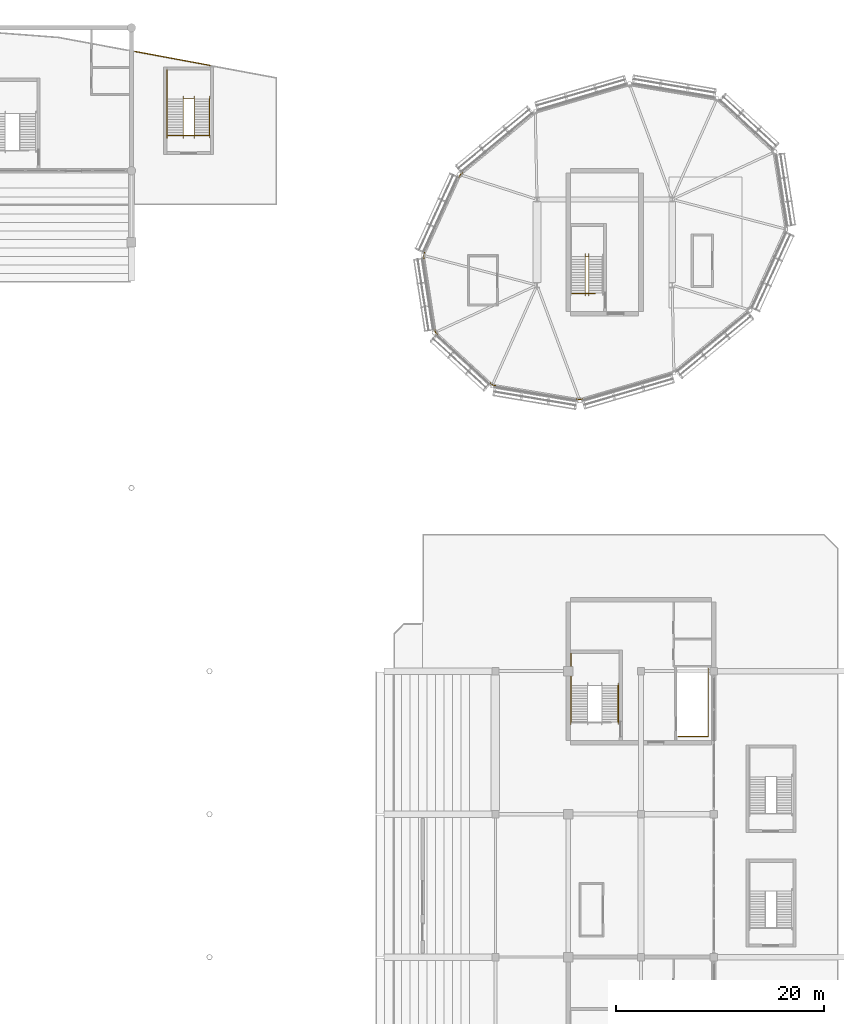
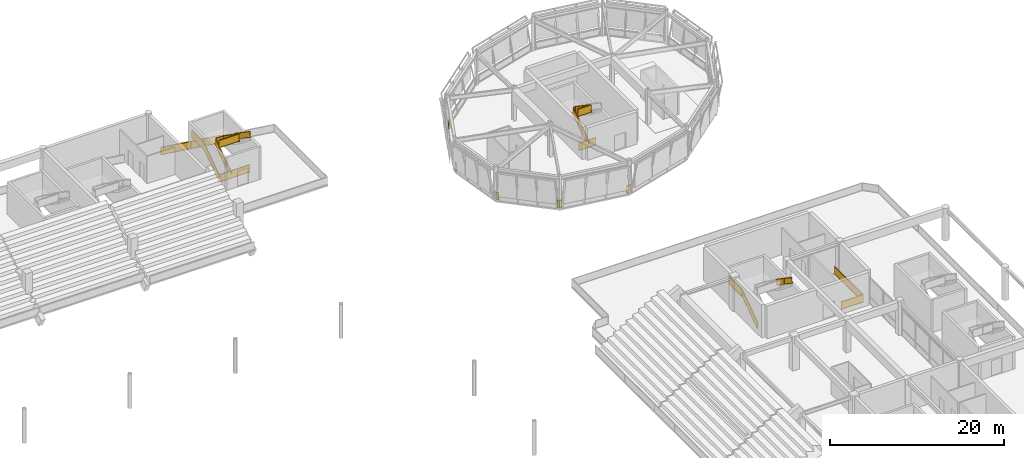
# One storey, part 93 of 94: 15 railings.
"""IFC4 building model written with IfcOpenShell, lengths in metres."""

from ifc_helpers import new_model, si_unit, direction, frame, origin, origin_2d, place, context, subcontext, project, spatial, rectangle, extrude, material, type_object, element, save


model = new_model("IFC4")

# Units and contexts
model_context = context("Model", 3, precision=1e-05, world=origin(), true_north=direction((0.0, 1.0)))
body_context = subcontext(model_context, "Body", "Model", "MODEL_VIEW")
ifc_project = project(units=[si_unit("LENGTHUNIT", "METRE"), si_unit("AREAUNIT", "SQUARE_METRE"), si_unit("VOLUMEUNIT", "CUBIC_METRE"), si_unit("PLANEANGLEUNIT", "RADIAN"), si_unit("MASSUNIT", "GRAM", prefix="KILO")], contexts=[model_context])

# Site, building, storey
site_placement = place(None, origin())
site = spatial("IfcSite", under=ifc_project, at=site_placement, CompositionType="ELEMENT")
building_placement = place(site_placement, origin())
building = spatial("IfcBuilding", under=site, at=building_placement, Name="Linyun Crest Stadium", CompositionType="ELEMENT")
storey_placement = place(building_placement, frame((0.0, 0.0, 16.199951171875)))
storey = spatial("IfcBuildingStorey", under=building, at=storey_placement, Name="L04", CompositionType="ELEMENT", Elevation=16.199951171875)

# Railings
ifc_material_1 = material(Name="Galvanized and powder-coated steel bowl safety barrier", Category="steel")
railing_type_1 = type_object("IfcRailingType", Name="GR02", PredefinedType="GUARDRAIL", material=ifc_material_1)
railing_1_placement = place(storey_placement, frame((80.580078125, 37.090087890625, 0.0)))
element("IfcRailing", 1, at=railing_1_placement, inside=storey, type_object=railing_type_1, Name="Slab edge balustrade GR02 166", PredefinedType="GUARDRAIL", context=body_context, shape_type="SweptSolid", body=[
    extrude(rectangle(XDim=0.06005859375, YDim=0.06005859375, at=origin_2d()), frame((0.0, 0.0, 1.090087890625), z_axis=(1.0, 0.0, 0.0), x_axis=(0.0, 1.0, 0.0)), (0.0, 0.0, 1.0), 2.8798828125),
    extrude(rectangle(XDim=0.030029296875, YDim=1.0, at=origin_2d()), frame((0.0, 0.0, 0.56005859375), z_axis=(1.0, 0.0, 0.0), x_axis=(0.0, 1.0, 0.0)), (0.0, 0.0, 1.0), 2.8798828125),
    extrude(rectangle(XDim=0.06005859375, YDim=0.06005859375, at=origin_2d()), frame((0.0, 0.0, 0.030029296875), z_axis=(1.0, 0.0, 0.0), x_axis=(0.0, 1.0, 0.0)), (0.0, 0.0, 1.0), 2.8798828125),
    extrude(rectangle(XDim=0.06005859375, YDim=0.06005859375, at=origin_2d()), frame((2.8798828125, 0.0, 1.090087890625), z_axis=(0.0, 1.0, 0.0), x_axis=(-1.0, 0.0, 0.0)), (0.0, 0.0, 1.0), 6.5498046875),
    extrude(rectangle(XDim=0.030029296875, YDim=1.0, at=origin_2d()), frame((2.8798828125, 0.0, 0.56005859375), z_axis=(0.0, 1.0, 0.0), x_axis=(-1.0, 0.0, 0.0)), (0.0, 0.0, 1.0), 6.5498046875),
    extrude(rectangle(XDim=0.06005859375, YDim=0.06005859375, at=origin_2d()), frame((2.8798828125, 0.0, 0.030029296875), z_axis=(0.0, 1.0, 0.0), x_axis=(-1.0, 0.0, 0.0)), (0.0, 0.0, 1.0), 6.5498046875),
    extrude(rectangle(XDim=0.050048828125, YDim=0.050048828125, at=origin_2d()), origin(), (0.0, 0.0, 1.0), 1.1201171875),
    extrude(rectangle(XDim=0.050048828125, YDim=0.050048828125, at=origin_2d()), frame((2.8798828125, 0.0, 0.0)), (0.0, 0.0, 1.0), 1.1201171875),
    extrude(rectangle(XDim=0.050048828125, YDim=0.050048828125, at=origin_2d()), frame((2.8798828125, 3.27490234375, 0.0)), (0.0, 0.0, 1.0), 1.1201171875),
    extrude(rectangle(XDim=0.050048828125, YDim=0.050048828125, at=origin_2d()), frame((2.8798828125, 6.5498046875, 0.0)), (0.0, 0.0, 1.0), 1.1201171875),
])
railing_2_placement = place(storey_placement, frame((28.340087890625, 102.97607421875, 0.0)))
element("IfcRailing", 2, at=railing_2_placement, inside=storey, type_object=railing_type_1, Name="Slab edge balustrade GR02 220", PredefinedType="GUARDRAIL", context=body_context, shape_type="SweptSolid", body=[
    extrude(rectangle(XDim=0.06005859375, YDim=0.06005859375, at=origin_2d()), frame((0.0, 0.0, 1.090087890625), z_axis=(0.983179834188, -0.182640120579, 0.0), x_axis=(0.182640120579, 0.983179834188, 0.0)), (0.0, 0.0, 1.0), 7.31591796875),
    extrude(rectangle(XDim=0.030029296875, YDim=1.0, at=origin_2d()), frame((0.0, 0.0, 0.56005859375), z_axis=(0.983179834188, -0.182640120579, 0.0), x_axis=(0.182640120579, 0.983179834188, 0.0)), (0.0, 0.0, 1.0), 7.31591796875),
    extrude(rectangle(XDim=0.06005859375, YDim=0.06005859375, at=origin_2d()), frame((0.0, 0.0, 0.030029296875), z_axis=(0.983179834188, -0.182640120579, 0.0), x_axis=(0.182640120579, 0.983179834188, 0.0)), (0.0, 0.0, 1.0), 7.31591796875),
    extrude(rectangle(XDim=0.050048828125, YDim=0.050048828125, at=origin_2d()), origin(), (0.0, 0.0, 1.0), 1.1201171875),
    extrude(rectangle(XDim=0.050048828125, YDim=0.050048828125, at=origin_2d()), frame((3.596435546875, -0.66796875, 0.0)), (0.0, 0.0, 1.0), 1.1201171875),
    extrude(rectangle(XDim=0.050048828125, YDim=0.050048828125, at=origin_2d()), frame((7.19287109375, -1.336181640625, 0.0)), (0.0, 0.0, 1.0), 1.1201171875),
])
railing_3_placement = place(storey_placement, frame((31.5400390625, 94.889892578125, 0.0)))
element("IfcRailing", 3, at=railing_3_placement, inside=storey, type_object=railing_type_1, Name="Slab edge balustrade GR02 222", PredefinedType="GUARDRAIL", context=body_context, shape_type="SweptSolid", body=[
    extrude(rectangle(XDim=0.06005859375, YDim=0.06005859375, at=origin_2d()), frame((0.0, 0.0, 1.090087890625), z_axis=(1.0, 0.0, 0.0), x_axis=(0.0, 1.0, 0.0)), (0.0, 0.0, 1.0), 3.919921875),
    extrude(rectangle(XDim=0.030029296875, YDim=1.0, at=origin_2d()), frame((0.0, 0.0, 0.56005859375), z_axis=(1.0, 0.0, 0.0), x_axis=(0.0, 1.0, 0.0)), (0.0, 0.0, 1.0), 3.919921875),
    extrude(rectangle(XDim=0.06005859375, YDim=0.06005859375, at=origin_2d()), frame((0.0, 0.0, 0.030029296875), z_axis=(1.0, 0.0, 0.0), x_axis=(0.0, 1.0, 0.0)), (0.0, 0.0, 1.0), 3.919921875),
    extrude(rectangle(XDim=0.050048828125, YDim=0.050048828125, at=origin_2d()), origin(), (0.0, 0.0, 1.0), 1.1201171875),
    extrude(rectangle(XDim=0.050048828125, YDim=0.050048828125, at=origin_2d()), frame((3.919921875, 0.0, 0.0)), (0.0, 0.0, 1.0), 1.1201171875),
])
railing_4_placement = place(storey_placement, frame((71.376953125, 69.56591796875, 0.0)))
element("IfcRailing", 4, at=railing_4_placement, inside=storey, type_object=railing_type_1, Name="Slab edge balustrade GR02 341", PredefinedType="GUARDRAIL", context=body_context, shape_type="SweptSolid", body=[
    extrude(rectangle(XDim=0.06005859375, YDim=0.06005859375, at=origin_2d()), frame((0.0, 0.0, 1.090087890625), z_axis=(-0.959406194526, -0.282027931073, 0.0), x_axis=(0.282027931073, -0.959406194526, 0.0)), (0.0, 0.0, 1.0), 0.28662109375),
    extrude(rectangle(XDim=0.030029296875, YDim=1.0, at=origin_2d()), frame((0.0, 0.0, 0.56005859375), z_axis=(-0.959406194526, -0.282027931073, 0.0), x_axis=(0.282027931073, -0.959406194526, 0.0)), (0.0, 0.0, 1.0), 0.28662109375),
    extrude(rectangle(XDim=0.06005859375, YDim=0.06005859375, at=origin_2d()), frame((0.0, 0.0, 0.030029296875), z_axis=(-0.959406194526, -0.282027931073, 0.0), x_axis=(0.282027931073, -0.959406194526, 0.0)), (0.0, 0.0, 1.0), 0.28662109375),
    extrude(rectangle(XDim=0.06005859375, YDim=0.06005859375, at=origin_2d()), frame((-0.27490234375, -0.080810546875, 1.090087890625), z_axis=(-0.985905166387, 0.167305119144, 0.0), x_axis=(-0.167305119144, -0.985905166387, 0.0)), (0.0, 0.0, 1.0), 0.2861328125),
    extrude(rectangle(XDim=0.030029296875, YDim=1.0, at=origin_2d()), frame((-0.27490234375, -0.080810546875, 0.56005859375), z_axis=(-0.985905166387, 0.167305119144, 0.0), x_axis=(-0.167305119144, -0.985905166387, 0.0)), (0.0, 0.0, 1.0), 0.2861328125),
    extrude(rectangle(XDim=0.06005859375, YDim=0.06005859375, at=origin_2d()), frame((-0.27490234375, -0.080810546875, 0.030029296875), z_axis=(-0.985905166387, 0.167305119144, 0.0), x_axis=(-0.167305119144, -0.985905166387, 0.0)), (0.0, 0.0, 1.0), 0.2861328125),
    extrude(rectangle(XDim=0.050048828125, YDim=0.050048828125, at=origin_2d()), origin(), (0.0, 0.0, 1.0), 1.1201171875),
    extrude(rectangle(XDim=0.050048828125, YDim=0.050048828125, at=origin_2d()), frame((-0.27490234375, -0.080810546875, 0.0)), (0.0, 0.0, 1.0), 1.1201171875),
    extrude(rectangle(XDim=0.050048828125, YDim=0.050048828125, at=origin_2d()), frame((-0.556884765625, -0.032958984375, 0.0)), (0.0, 0.0, 1.0), 1.1201171875),
])
railing_5_placement = place(storey_placement, frame((62.992919921875, 70.843994140625, 0.0)))
element("IfcRailing", 5, at=railing_5_placement, inside=storey, type_object=railing_type_1, Name="Slab edge balustrade GR02 342", PredefinedType="GUARDRAIL", context=body_context, shape_type="SweptSolid", body=[
    extrude(rectangle(XDim=0.06005859375, YDim=0.06005859375, at=origin_2d()), frame((0.0, 0.0, 1.090087890625), z_axis=(-0.986627241764, 0.1629929011, 0.0), x_axis=(-0.1629929011, -0.986627241764, 0.0)), (0.0, 0.0, 1.0), 0.281494140625),
    extrude(rectangle(XDim=0.030029296875, YDim=1.0, at=origin_2d()), frame((0.0, 0.0, 0.56005859375), z_axis=(-0.986627241764, 0.1629929011, 0.0), x_axis=(-0.1629929011, -0.986627241764, 0.0)), (0.0, 0.0, 1.0), 0.281494140625),
    extrude(rectangle(XDim=0.06005859375, YDim=0.06005859375, at=origin_2d()), frame((0.0, 0.0, 0.030029296875), z_axis=(-0.986627241764, 0.1629929011, 0.0), x_axis=(-0.1629929011, -0.986627241764, 0.0)), (0.0, 0.0, 1.0), 0.281494140625),
    extrude(rectangle(XDim=0.06005859375, YDim=0.06005859375, at=origin_2d()), frame((-0.27783203125, 0.0458984375, 1.090087890625), z_axis=(-0.734572019785, 0.678530727196, 0.0), x_axis=(-0.678530727196, -0.734572019785, 0.0)), (0.0, 0.0, 1.0), 0.283203125),
    extrude(rectangle(XDim=0.030029296875, YDim=1.0, at=origin_2d()), frame((-0.27783203125, 0.0458984375, 0.56005859375), z_axis=(-0.734572019785, 0.678530727196, 0.0), x_axis=(-0.678530727196, -0.734572019785, 0.0)), (0.0, 0.0, 1.0), 0.283203125),
    extrude(rectangle(XDim=0.06005859375, YDim=0.06005859375, at=origin_2d()), frame((-0.27783203125, 0.0458984375, 0.030029296875), z_axis=(-0.734572019785, 0.678530727196, 0.0), x_axis=(-0.678530727196, -0.734572019785, 0.0)), (0.0, 0.0, 1.0), 0.283203125),
    extrude(rectangle(XDim=0.050048828125, YDim=0.050048828125, at=origin_2d()), origin(), (0.0, 0.0, 1.0), 1.1201171875),
    extrude(rectangle(XDim=0.050048828125, YDim=0.050048828125, at=origin_2d()), frame((-0.27783203125, 0.0458984375, 0.0)), (0.0, 0.0, 1.0), 1.1201171875),
    extrude(rectangle(XDim=0.050048828125, YDim=0.050048828125, at=origin_2d()), frame((-0.48583984375, 0.238037109375, 0.0)), (0.0, 0.0, 1.0), 1.1201171875),
])
railing_6_placement = place(storey_placement, frame((57.426025390625, 75.780029296875, 0.0)))
element("IfcRailing", 6, at=railing_6_placement, inside=storey, type_object=railing_type_1, Name="Slab edge balustrade GR02 343", PredefinedType="GUARDRAIL", context=body_context, shape_type="SweptSolid", body=[
    extrude(rectangle(XDim=0.06005859375, YDim=0.06005859375, at=origin_2d()), frame((0.0, 0.0, 1.090087890625), z_axis=(-0.733663907779, 0.67951252411, 0.0), x_axis=(-0.67951252411, -0.733663907779, 0.0)), (0.0, 0.0, 1.0), 0.279541015625),
    extrude(rectangle(XDim=0.030029296875, YDim=1.0, at=origin_2d()), frame((0.0, 0.0, 0.56005859375), z_axis=(-0.733663907779, 0.67951252411, 0.0), x_axis=(-0.67951252411, -0.733663907779, 0.0)), (0.0, 0.0, 1.0), 0.279541015625),
    extrude(rectangle(XDim=0.06005859375, YDim=0.06005859375, at=origin_2d()), frame((0.0, 0.0, 0.030029296875), z_axis=(-0.733663907779, 0.67951252411, 0.0), x_axis=(-0.67951252411, -0.733663907779, 0.0)), (0.0, 0.0, 1.0), 0.279541015625),
    extrude(rectangle(XDim=0.06005859375, YDim=0.06005859375, at=origin_2d()), frame((-0.205078125, 0.18994140625, 1.090087890625), z_axis=(-0.150349133385, 0.988632964295, 0.0), x_axis=(-0.988632964295, -0.150349133385, 0.0)), (0.0, 0.0, 1.0), 0.279296875),
    extrude(rectangle(XDim=0.030029296875, YDim=1.0, at=origin_2d()), frame((-0.205078125, 0.18994140625, 0.56005859375), z_axis=(-0.150349133385, 0.988632964295, 0.0), x_axis=(-0.988632964295, -0.150349133385, 0.0)), (0.0, 0.0, 1.0), 0.279296875),
    extrude(rectangle(XDim=0.06005859375, YDim=0.06005859375, at=origin_2d()), frame((-0.205078125, 0.18994140625, 0.030029296875), z_axis=(-0.150349133385, 0.988632964295, 0.0), x_axis=(-0.988632964295, -0.150349133385, 0.0)), (0.0, 0.0, 1.0), 0.279296875),
    extrude(rectangle(XDim=0.050048828125, YDim=0.050048828125, at=origin_2d()), origin(), (0.0, 0.0, 1.0), 1.1201171875),
    extrude(rectangle(XDim=0.050048828125, YDim=0.050048828125, at=origin_2d()), frame((-0.205078125, 0.18994140625, 0.0)), (0.0, 0.0, 1.0), 1.1201171875),
    extrude(rectangle(XDim=0.050048828125, YDim=0.050048828125, at=origin_2d()), frame((-0.2470703125, 0.466064453125, 0.0)), (0.0, 0.0, 1.0), 1.1201171875),
])
railing_7_placement = place(storey_placement, frame((56.1259765625, 83.083984375, 0.0)))
element("IfcRailing", 7, at=railing_7_placement, inside=storey, type_object=railing_type_1, Name="Slab edge balustrade GR02 344", PredefinedType="GUARDRAIL", context=body_context, shape_type="SweptSolid", body=[
    extrude(rectangle(XDim=0.06005859375, YDim=0.06005859375, at=origin_2d()), frame((0.0, 0.0, 1.090087890625), z_axis=(-0.1521871378, 0.988351696052, 0.0), x_axis=(-0.988351696052, -0.1521871378, 0.0)), (0.0, 0.0, 1.0), 0.2822265625),
    extrude(rectangle(XDim=0.030029296875, YDim=1.0, at=origin_2d()), frame((0.0, 0.0, 0.56005859375), z_axis=(-0.1521871378, 0.988351696052, 0.0), x_axis=(-0.988351696052, -0.1521871378, 0.0)), (0.0, 0.0, 1.0), 0.2822265625),
    extrude(rectangle(XDim=0.06005859375, YDim=0.06005859375, at=origin_2d()), frame((0.0, 0.0, 0.030029296875), z_axis=(-0.1521871378, 0.988351696052, 0.0), x_axis=(-0.988351696052, -0.1521871378, 0.0)), (0.0, 0.0, 1.0), 0.2822265625),
    extrude(rectangle(XDim=0.06005859375, YDim=0.06005859375, at=origin_2d()), frame((-0.04296875, 0.279052734375, 1.090087890625), z_axis=(0.414063441435, 0.910248024698, 0.0), x_axis=(-0.910248024698, 0.414063441435, 0.0)), (0.0, 0.0, 1.0), 0.282470703125),
    extrude(rectangle(XDim=0.030029296875, YDim=1.0, at=origin_2d()), frame((-0.04296875, 0.279052734375, 0.56005859375), z_axis=(0.414063441435, 0.910248024698, 0.0), x_axis=(-0.910248024698, 0.414063441435, 0.0)), (0.0, 0.0, 1.0), 0.282470703125),
    extrude(rectangle(XDim=0.06005859375, YDim=0.06005859375, at=origin_2d()), frame((-0.04296875, 0.279052734375, 0.030029296875), z_axis=(0.414063441435, 0.910248024698, 0.0), x_axis=(-0.910248024698, 0.414063441435, 0.0)), (0.0, 0.0, 1.0), 0.282470703125),
    extrude(rectangle(XDim=0.050048828125, YDim=0.050048828125, at=origin_2d()), origin(), (0.0, 0.0, 1.0), 1.1201171875),
    extrude(rectangle(XDim=0.050048828125, YDim=0.050048828125, at=origin_2d()), frame((-0.04296875, 0.279052734375, 0.0)), (0.0, 0.0, 1.0), 1.1201171875),
    extrude(rectangle(XDim=0.050048828125, YDim=0.050048828125, at=origin_2d()), frame((0.073974609375, 0.5361328125, 0.0)), (0.0, 0.0, 1.0), 1.1201171875),
])
railing_8_placement = place(storey_placement, frame((59.489013671875, 90.842041015625, 0.0)))
element("IfcRailing", 8, at=railing_8_placement, inside=storey, type_object=railing_type_1, Name="Slab edge balustrade GR02 345", PredefinedType="GUARDRAIL", context=body_context, shape_type="SweptSolid", body=[
    extrude(rectangle(XDim=0.06005859375, YDim=0.06005859375, at=origin_2d()), frame((0.0, 0.0, 1.090087890625), z_axis=(0.414572445131, 0.910016311798, 0.0), x_axis=(-0.910016311798, 0.414572445131, 0.0)), (0.0, 0.0, 1.0), 0.286865234375),
    extrude(rectangle(XDim=0.030029296875, YDim=1.0, at=origin_2d()), frame((0.0, 0.0, 0.56005859375), z_axis=(0.414572445131, 0.910016311798, 0.0), x_axis=(-0.910016311798, 0.414572445131, 0.0)), (0.0, 0.0, 1.0), 0.286865234375),
    extrude(rectangle(XDim=0.06005859375, YDim=0.06005859375, at=origin_2d()), frame((0.0, 0.0, 0.030029296875), z_axis=(0.414572445131, 0.910016311798, 0.0), x_axis=(-0.910016311798, 0.414572445131, 0.0)), (0.0, 0.0, 1.0), 0.286865234375),
    extrude(rectangle(XDim=0.06005859375, YDim=0.06005859375, at=origin_2d()), frame((0.118896484375, 0.260986328125, 1.090087890625), z_axis=(0.77066950633, 0.637235052404, 0.0), x_axis=(-0.637235052404, 0.77066950633, 0.0)), (0.0, 0.0, 1.0), 0.285400390625),
    extrude(rectangle(XDim=0.030029296875, YDim=1.0, at=origin_2d()), frame((0.118896484375, 0.260986328125, 0.56005859375), z_axis=(0.77066950633, 0.637235052404, 0.0), x_axis=(-0.637235052404, 0.77066950633, 0.0)), (0.0, 0.0, 1.0), 0.285400390625),
    extrude(rectangle(XDim=0.06005859375, YDim=0.06005859375, at=origin_2d()), frame((0.118896484375, 0.260986328125, 0.030029296875), z_axis=(0.77066950633, 0.637235052404, 0.0), x_axis=(-0.637235052404, 0.77066950633, 0.0)), (0.0, 0.0, 1.0), 0.285400390625),
    extrude(rectangle(XDim=0.050048828125, YDim=0.050048828125, at=origin_2d()), origin(), (0.0, 0.0, 1.0), 1.1201171875),
    extrude(rectangle(XDim=0.050048828125, YDim=0.050048828125, at=origin_2d()), frame((0.118896484375, 0.260986328125, 0.0)), (0.0, 0.0, 1.0), 1.1201171875),
    extrude(rectangle(XDim=0.050048828125, YDim=0.050048828125, at=origin_2d()), frame((0.3388671875, 0.44287109375, 0.0)), (0.0, 0.0, 1.0), 1.1201171875),
])
railing_9_placement = place(storey_placement, frame((70.364990234375, 79.7099609375, 0.0)))
element("IfcRailing", 9, at=railing_9_placement, inside=storey, type_object=railing_type_1, Name="Slab edge balustrade GR02 350", PredefinedType="GUARDRAIL", context=body_context, shape_type="SweptSolid", body=[
    extrude(rectangle(XDim=0.06005859375, YDim=0.06005859375, at=origin_2d()), frame((0.0, 0.0, 1.090087890625), z_axis=(1.0, 0.0, 0.0), x_axis=(0.0, 1.0, 0.0)), (0.0, 0.0, 1.0), 2.235107421875),
    extrude(rectangle(XDim=0.030029296875, YDim=1.0, at=origin_2d()), frame((0.0, 0.0, 0.56005859375), z_axis=(1.0, 0.0, 0.0), x_axis=(0.0, 1.0, 0.0)), (0.0, 0.0, 1.0), 2.235107421875),
    extrude(rectangle(XDim=0.06005859375, YDim=0.06005859375, at=origin_2d()), frame((0.0, 0.0, 0.030029296875), z_axis=(1.0, 0.0, 0.0), x_axis=(0.0, 1.0, 0.0)), (0.0, 0.0, 1.0), 2.235107421875),
    extrude(rectangle(XDim=0.050048828125, YDim=0.050048828125, at=origin_2d()), origin(), (0.0, 0.0, 1.0), 1.1201171875),
    extrude(rectangle(XDim=0.050048828125, YDim=0.050048828125, at=origin_2d()), frame((2.235107421875, 0.0, 0.0)), (0.0, 0.0, 1.0), 1.1201171875),
])
ifc_material_2 = material(Name="Painted steel stairwell safety guard", Category="steel")
railing_type_2 = type_object("IfcRailingType", Name="GR03", PredefinedType="GUARDRAIL", material=ifc_material_2)
railing_10_placement = place(storey_placement, frame((70.2548828125, 38.489990234375, 0.0)))
element("IfcRailing", 10, at=railing_10_placement, inside=storey, type_object=railing_type_2, Name="STR-06-L04 outer guard", PredefinedType="GUARDRAIL", context=body_context, shape_type="SweptSolid", body=[
    extrude(rectangle(XDim=0.06005859375, YDim=0.06005859375, at=origin_2d()), frame((0.0, 0.0, 1.090087890625), z_axis=(0.0, 0.824712752785, 0.565551832633), x_axis=(-1.0, 0.0, 0.0)), (0.0, 0.0, 1.0), 4.243896484375),
    extrude(rectangle(XDim=0.030029296875, YDim=1.0, at=origin_2d()), frame((0.0, 0.0, 0.56005859375), z_axis=(0.0, 0.824712752785, 0.565551832633), x_axis=(-1.0, 0.0, 0.0)), (0.0, 0.0, 1.0), 4.243896484375),
    extrude(rectangle(XDim=0.06005859375, YDim=0.06005859375, at=origin_2d()), frame((0.0, 0.0, 0.030029296875), z_axis=(0.0, 0.824712752785, 0.565551832633), x_axis=(-1.0, 0.0, 0.0)), (0.0, 0.0, 1.0), 4.243896484375),
    extrude(rectangle(XDim=0.06005859375, YDim=0.06005859375, at=origin_2d()), frame((0.0, 3.5, 3.490234375), z_axis=(0.0, 1.0, 0.0), x_axis=(-1.0, 0.0, 0.0)), (0.0, 0.0, 1.0), 3.080078125),
    extrude(rectangle(XDim=0.030029296875, YDim=1.0, at=origin_2d()), frame((0.0, 3.5, 2.960205078125), z_axis=(0.0, 1.0, 0.0), x_axis=(-1.0, 0.0, 0.0)), (0.0, 0.0, 1.0), 3.080078125),
    extrude(rectangle(XDim=0.06005859375, YDim=0.06005859375, at=origin_2d()), frame((0.0, 3.5, 2.43017578125), z_axis=(0.0, 1.0, 0.0), x_axis=(-1.0, 0.0, 0.0)), (0.0, 0.0, 1.0), 3.080078125),
    extrude(rectangle(XDim=0.050048828125, YDim=0.050048828125, at=origin_2d()), origin(), (0.0, 0.0, 1.0), 1.1201171875),
    extrude(rectangle(XDim=0.050048828125, YDim=0.050048828125, at=origin_2d()), frame((0.0, 1.166748046875, 0.800048828125)), (0.0, 0.0, 1.0), 1.1201171875),
    extrude(rectangle(XDim=0.050048828125, YDim=0.050048828125, at=origin_2d()), frame((0.0, 2.333251953125, 1.60009765625)), (0.0, 0.0, 1.0), 1.1201171875),
    extrude(rectangle(XDim=0.050048828125, YDim=0.050048828125, at=origin_2d()), frame((0.0, 3.5, 2.400146484375)), (0.0, 0.0, 1.0), 1.1201171875),
    extrude(rectangle(XDim=0.050048828125, YDim=0.050048828125, at=origin_2d()), frame((0.0, 5.0400390625, 2.400146484375)), (0.0, 0.0, 1.0), 1.1201171875),
    extrude(rectangle(XDim=0.050048828125, YDim=0.050048828125, at=origin_2d()), frame((0.0, 6.580078125, 2.400146484375)), (0.0, 0.0, 1.0), 1.1201171875),
])
railing_11_placement = place(storey_placement, frame((71.64501953125, 79.719970703125, 0.0)))
element("IfcRailing", 11, at=railing_11_placement, inside=storey, type_object=railing_type_2, Name="STR-12-L04 inner well guard", PredefinedType="GUARDRAIL", context=body_context, shape_type="SweptSolid", body=[
    extrude(rectangle(XDim=0.06005859375, YDim=0.06005859375, at=origin_2d()), frame((0.0, 0.0, 1.090087890625), z_axis=(0.0, 0.826212794201, 0.563358162005), x_axis=(-1.0, 0.0, 0.0)), (0.0, 0.0, 1.0), 4.260498046875),
    extrude(rectangle(XDim=0.030029296875, YDim=1.0, at=origin_2d()), frame((0.0, 0.0, 0.56005859375), z_axis=(0.0, 0.826212794201, 0.563358162005), x_axis=(-1.0, 0.0, 0.0)), (0.0, 0.0, 1.0), 4.260498046875),
    extrude(rectangle(XDim=0.06005859375, YDim=0.06005859375, at=origin_2d()), frame((0.0, 0.0, 0.030029296875), z_axis=(0.0, 0.826212794201, 0.563358162005), x_axis=(-1.0, 0.0, 0.0)), (0.0, 0.0, 1.0), 4.260498046875),
    extrude(rectangle(XDim=0.06005859375, YDim=0.06005859375, at=origin_2d()), frame((0.0, 3.52001953125, 3.490234375), z_axis=(1.0, 0.0, 0.0), x_axis=(0.0, 1.0, 0.0)), (0.0, 0.0, 1.0), 0.3349609375),
    extrude(rectangle(XDim=0.030029296875, YDim=1.0, at=origin_2d()), frame((0.0, 3.52001953125, 2.960205078125), z_axis=(1.0, 0.0, 0.0), x_axis=(0.0, 1.0, 0.0)), (0.0, 0.0, 1.0), 0.3349609375),
    extrude(rectangle(XDim=0.06005859375, YDim=0.06005859375, at=origin_2d()), frame((0.0, 3.52001953125, 2.43017578125), z_axis=(1.0, 0.0, 0.0), x_axis=(0.0, 1.0, 0.0)), (0.0, 0.0, 1.0), 0.3349609375),
    extrude(rectangle(XDim=0.06005859375, YDim=0.06005859375, at=origin_2d()), frame((0.3349609375, 3.52001953125, 3.490234375), z_axis=(0.0, -0.826239466617, 0.563319042644), x_axis=(1.0, 0.0, 0.0)), (0.0, 0.0, 1.0), 4.26025390625),
    extrude(rectangle(XDim=0.030029296875, YDim=1.0, at=origin_2d()), frame((0.3349609375, 3.52001953125, 2.960205078125), z_axis=(0.0, -0.826239466617, 0.563319042644), x_axis=(1.0, 0.0, 0.0)), (0.0, 0.0, 1.0), 4.26025390625),
    extrude(rectangle(XDim=0.06005859375, YDim=0.06005859375, at=origin_2d()), frame((0.3349609375, 3.52001953125, 2.43017578125), z_axis=(0.0, -0.826239466617, 0.563319042644), x_axis=(1.0, 0.0, 0.0)), (0.0, 0.0, 1.0), 4.26025390625),
    extrude(rectangle(XDim=0.06005859375, YDim=0.06005859375, at=origin_2d()), frame((0.3349609375, 0.0, 5.89013671875), z_axis=(-1.0, 0.0, 0.0), x_axis=(0.0, -1.0, 0.0)), (0.0, 0.0, 1.0), 1.73486328125),
    extrude(rectangle(XDim=0.030029296875, YDim=1.0, at=origin_2d()), frame((0.3349609375, 0.0, 5.360107421875), z_axis=(-1.0, 0.0, 0.0), x_axis=(0.0, -1.0, 0.0)), (0.0, 0.0, 1.0), 1.73486328125),
    extrude(rectangle(XDim=0.06005859375, YDim=0.06005859375, at=origin_2d()), frame((0.3349609375, 0.0, 4.830078125), z_axis=(-1.0, 0.0, 0.0), x_axis=(0.0, -1.0, 0.0)), (0.0, 0.0, 1.0), 1.73486328125),
    extrude(rectangle(XDim=0.050048828125, YDim=0.050048828125, at=origin_2d()), origin(), (0.0, 0.0, 1.0), 1.1201171875),
    extrude(rectangle(XDim=0.050048828125, YDim=0.050048828125, at=origin_2d()), frame((0.0, 1.17333984375, 0.800048828125)), (0.0, 0.0, 1.0), 1.1201171875),
    extrude(rectangle(XDim=0.050048828125, YDim=0.050048828125, at=origin_2d()), frame((0.0, 2.3466796875, 1.60009765625)), (0.0, 0.0, 1.0), 1.1201171875),
    extrude(rectangle(XDim=0.050048828125, YDim=0.050048828125, at=origin_2d()), frame((0.0, 3.52001953125, 2.400146484375)), (0.0, 0.0, 1.0), 1.1201171875),
    extrude(rectangle(XDim=0.050048828125, YDim=0.050048828125, at=origin_2d()), frame((0.3349609375, 3.52001953125, 2.400146484375)), (0.0, 0.0, 1.0), 1.1201171875),
    extrude(rectangle(XDim=0.050048828125, YDim=0.050048828125, at=origin_2d()), frame((0.3349609375, 2.3466796875, 3.2001953125)), (0.0, 0.0, 1.0), 1.1201171875),
    extrude(rectangle(XDim=0.050048828125, YDim=0.050048828125, at=origin_2d()), frame((0.3349609375, 1.17333984375, 4.0)), (0.0, 0.0, 1.0), 1.1201171875),
    extrude(rectangle(XDim=0.050048828125, YDim=0.050048828125, at=origin_2d()), frame((0.3349609375, 0.0, 4.800048828125)), (0.0, 0.0, 1.0), 1.1201171875),
    extrude(rectangle(XDim=0.050048828125, YDim=0.050048828125, at=origin_2d()), frame((-1.39990234375, 0.0, 4.800048828125)), (0.0, 0.0, 1.0), 1.1201171875),
])
railing_12_placement = place(storey_placement, frame((31.429931640625, 94.919921875, 0.0)))
element("IfcRailing", 12, at=railing_12_placement, inside=storey, type_object=railing_type_2, Name="STR-26-L04 outer guard", PredefinedType="GUARDRAIL", context=body_context, shape_type="SweptSolid", body=[
    extrude(rectangle(XDim=0.06005859375, YDim=0.06005859375, at=origin_2d()), frame((0.0, 0.0, 1.090087890625), z_axis=(0.0, 0.824712752785, 0.565551832633), x_axis=(-1.0, 0.0, 0.0)), (0.0, 0.0, 1.0), 4.243896484375),
    extrude(rectangle(XDim=0.030029296875, YDim=1.0, at=origin_2d()), frame((0.0, 0.0, 0.56005859375), z_axis=(0.0, 0.824712752785, 0.565551832633), x_axis=(-1.0, 0.0, 0.0)), (0.0, 0.0, 1.0), 4.243896484375),
    extrude(rectangle(XDim=0.06005859375, YDim=0.06005859375, at=origin_2d()), frame((0.0, 0.0, 0.030029296875), z_axis=(0.0, 0.824712752785, 0.565551832633), x_axis=(-1.0, 0.0, 0.0)), (0.0, 0.0, 1.0), 4.243896484375),
    extrude(rectangle(XDim=0.06005859375, YDim=0.06005859375, at=origin_2d()), frame((0.0, 3.5, 3.490234375), z_axis=(0.0, 1.0, 0.0), x_axis=(-1.0, 0.0, 0.0)), (0.0, 0.0, 1.0), 2.75),
    extrude(rectangle(XDim=0.030029296875, YDim=1.0, at=origin_2d()), frame((0.0, 3.5, 2.960205078125), z_axis=(0.0, 1.0, 0.0), x_axis=(-1.0, 0.0, 0.0)), (0.0, 0.0, 1.0), 2.75),
    extrude(rectangle(XDim=0.06005859375, YDim=0.06005859375, at=origin_2d()), frame((0.0, 3.5, 2.43017578125), z_axis=(0.0, 1.0, 0.0), x_axis=(-1.0, 0.0, 0.0)), (0.0, 0.0, 1.0), 2.75),
    extrude(rectangle(XDim=0.050048828125, YDim=0.050048828125, at=origin_2d()), origin(), (0.0, 0.0, 1.0), 1.1201171875),
    extrude(rectangle(XDim=0.050048828125, YDim=0.050048828125, at=origin_2d()), frame((0.0, 1.166748046875, 0.800048828125)), (0.0, 0.0, 1.0), 1.1201171875),
    extrude(rectangle(XDim=0.050048828125, YDim=0.050048828125, at=origin_2d()), frame((0.0, 2.333251953125, 1.60009765625)), (0.0, 0.0, 1.0), 1.1201171875),
    extrude(rectangle(XDim=0.050048828125, YDim=0.050048828125, at=origin_2d()), frame((0.0, 3.5, 2.400146484375)), (0.0, 0.0, 1.0), 1.1201171875),
    extrude(rectangle(XDim=0.050048828125, YDim=0.050048828125, at=origin_2d()), frame((0.0, 4.875, 2.400146484375)), (0.0, 0.0, 1.0), 1.1201171875),
    extrude(rectangle(XDim=0.050048828125, YDim=0.050048828125, at=origin_2d()), frame((0.0, 6.25, 2.400146484375)), (0.0, 0.0, 1.0), 1.1201171875),
])
railing_13_placement = place(storey_placement, frame((32.969970703125, 94.89990234375, 0.0)))
element("IfcRailing", 13, at=railing_13_placement, inside=storey, type_object=railing_type_2, Name="STR-26-L04 inner well guard", PredefinedType="GUARDRAIL", context=body_context, shape_type="SweptSolid", body=[
    extrude(rectangle(XDim=0.06005859375, YDim=0.06005859375, at=origin_2d()), frame((0.0, 0.0, 1.090087890625), z_axis=(0.0, 0.826212794201, 0.563358162005), x_axis=(-1.0, 0.0, 0.0)), (0.0, 0.0, 1.0), 4.260498046875),
    extrude(rectangle(XDim=0.030029296875, YDim=1.0, at=origin_2d()), frame((0.0, 0.0, 0.56005859375), z_axis=(0.0, 0.826212794201, 0.563358162005), x_axis=(-1.0, 0.0, 0.0)), (0.0, 0.0, 1.0), 4.260498046875),
    extrude(rectangle(XDim=0.06005859375, YDim=0.06005859375, at=origin_2d()), frame((0.0, 0.0, 0.030029296875), z_axis=(0.0, 0.826212794201, 0.563358162005), x_axis=(-1.0, 0.0, 0.0)), (0.0, 0.0, 1.0), 4.260498046875),
    extrude(rectangle(XDim=0.06005859375, YDim=0.06005859375, at=origin_2d()), frame((0.0, 3.52001953125, 3.490234375), z_axis=(1.0, 0.0, 0.0), x_axis=(0.0, 1.0, 0.0)), (0.0, 0.0, 1.0), 1.06005859375),
    extrude(rectangle(XDim=0.030029296875, YDim=1.0, at=origin_2d()), frame((0.0, 3.52001953125, 2.960205078125), z_axis=(1.0, 0.0, 0.0), x_axis=(0.0, 1.0, 0.0)), (0.0, 0.0, 1.0), 1.06005859375),
    extrude(rectangle(XDim=0.06005859375, YDim=0.06005859375, at=origin_2d()), frame((0.0, 3.52001953125, 2.43017578125), z_axis=(1.0, 0.0, 0.0), x_axis=(0.0, 1.0, 0.0)), (0.0, 0.0, 1.0), 1.06005859375),
    extrude(rectangle(XDim=0.06005859375, YDim=0.06005859375, at=origin_2d()), frame((1.06005859375, 3.52001953125, 3.490234375), z_axis=(0.0, -0.826239466617, 0.563319042644), x_axis=(1.0, 0.0, 0.0)), (0.0, 0.0, 1.0), 4.26025390625),
    extrude(rectangle(XDim=0.030029296875, YDim=1.0, at=origin_2d()), frame((1.06005859375, 3.52001953125, 2.960205078125), z_axis=(0.0, -0.826239466617, 0.563319042644), x_axis=(1.0, 0.0, 0.0)), (0.0, 0.0, 1.0), 4.26025390625),
    extrude(rectangle(XDim=0.06005859375, YDim=0.06005859375, at=origin_2d()), frame((1.06005859375, 3.52001953125, 2.43017578125), z_axis=(0.0, -0.826239466617, 0.563319042644), x_axis=(1.0, 0.0, 0.0)), (0.0, 0.0, 1.0), 4.26025390625),
    extrude(rectangle(XDim=0.06005859375, YDim=0.06005859375, at=origin_2d()), frame((1.06005859375, 0.0, 5.89013671875), z_axis=(-1.0, 0.0, 0.0), x_axis=(0.0, -1.0, 0.0)), (0.0, 0.0, 1.0), 2.610107421875),
    extrude(rectangle(XDim=0.030029296875, YDim=1.0, at=origin_2d()), frame((1.06005859375, 0.0, 5.360107421875), z_axis=(-1.0, 0.0, 0.0), x_axis=(0.0, -1.0, 0.0)), (0.0, 0.0, 1.0), 2.610107421875),
    extrude(rectangle(XDim=0.06005859375, YDim=0.06005859375, at=origin_2d()), frame((1.06005859375, 0.0, 4.830078125), z_axis=(-1.0, 0.0, 0.0), x_axis=(0.0, -1.0, 0.0)), (0.0, 0.0, 1.0), 2.610107421875),
    extrude(rectangle(XDim=0.050048828125, YDim=0.050048828125, at=origin_2d()), origin(), (0.0, 0.0, 1.0), 1.1201171875),
    extrude(rectangle(XDim=0.050048828125, YDim=0.050048828125, at=origin_2d()), frame((0.0, 1.17333984375, 0.800048828125)), (0.0, 0.0, 1.0), 1.1201171875),
    extrude(rectangle(XDim=0.050048828125, YDim=0.050048828125, at=origin_2d()), frame((0.0, 2.3466796875, 1.60009765625)), (0.0, 0.0, 1.0), 1.1201171875),
    extrude(rectangle(XDim=0.050048828125, YDim=0.050048828125, at=origin_2d()), frame((0.0, 3.52001953125, 2.400146484375)), (0.0, 0.0, 1.0), 1.1201171875),
    extrude(rectangle(XDim=0.050048828125, YDim=0.050048828125, at=origin_2d()), frame((1.06005859375, 3.52001953125, 2.400146484375)), (0.0, 0.0, 1.0), 1.1201171875),
    extrude(rectangle(XDim=0.050048828125, YDim=0.050048828125, at=origin_2d()), frame((1.06005859375, 2.3466796875, 3.2001953125)), (0.0, 0.0, 1.0), 1.1201171875),
    extrude(rectangle(XDim=0.050048828125, YDim=0.050048828125, at=origin_2d()), frame((1.06005859375, 1.17333984375, 4.0)), (0.0, 0.0, 1.0), 1.1201171875),
    extrude(rectangle(XDim=0.050048828125, YDim=0.050048828125, at=origin_2d()), frame((1.06005859375, 0.0, 4.800048828125)), (0.0, 0.0, 1.0), 1.1201171875),
    extrude(rectangle(XDim=0.050048828125, YDim=0.050048828125, at=origin_2d()), frame((-0.2451171875, 0.0, 4.800048828125)), (0.0, 0.0, 1.0), 1.1201171875),
    extrude(rectangle(XDim=0.050048828125, YDim=0.050048828125, at=origin_2d()), frame((-1.550048828125, 0.0, 4.800048828125)), (0.0, 0.0, 1.0), 1.1201171875),
])
ifc_material_3 = material(Name="Brushed stainless steel tubular handrail", Category="steel")
railing_type_3 = type_object("IfcRailingType", Name="HR01", PredefinedType="HANDRAIL", material=ifc_material_3)
for number, where, name in (
    (14, (74.820068359375, 41.989990234375, 2.400146484375), "STR-06-L04 handrail"),
    (15, (35.52001953125, 98.419921875, 2.400146484375), "STR-26-L04 handrail"),
):
    element("IfcRailing", number, at=place(storey_placement, frame(where)), inside=storey, type_object=railing_type_3, Name=name, PredefinedType="HANDRAIL", context=body_context, shape_type="SweptSolid", body=[
        extrude(rectangle(XDim=0.06005859375, YDim=0.06005859375, at=origin_2d()), frame((0.0, 0.0, 0.889892578125), z_axis=(0.0, -0.824739584531, 0.5655127034), x_axis=(1.0, 0.0, 0.0)), (0.0, 0.0, 1.0), 4.24365234375),
        extrude(rectangle(XDim=0.030029296875, YDim=0.7998046875, at=origin_2d()), frame((0.0, 0.0, 0.4599609375), z_axis=(0.0, -0.824739584531, 0.5655127034), x_axis=(1.0, 0.0, 0.0)), (0.0, 0.0, 1.0), 4.24365234375),
        extrude(rectangle(XDim=0.06005859375, YDim=0.06005859375, at=origin_2d()), frame((0.0, 0.0, 0.030029296875), z_axis=(0.0, -0.824739584531, 0.5655127034), x_axis=(1.0, 0.0, 0.0)), (0.0, 0.0, 1.0), 4.24365234375),
        extrude(rectangle(XDim=0.050048828125, YDim=0.050048828125, at=origin_2d()), origin(), (0.0, 0.0, 1.0), 0.919921875),
        extrude(rectangle(XDim=0.050048828125, YDim=0.050048828125, at=origin_2d()), frame((0.0, -1.75, 1.199951171875)), (0.0, 0.0, 1.0), 0.919921875),
        extrude(rectangle(XDim=0.050048828125, YDim=0.050048828125, at=origin_2d()), frame((0.0, -3.5, 2.39990234375)), (0.0, 0.0, 1.0), 0.919921875),
    ])

save(model, "model.ifc")
